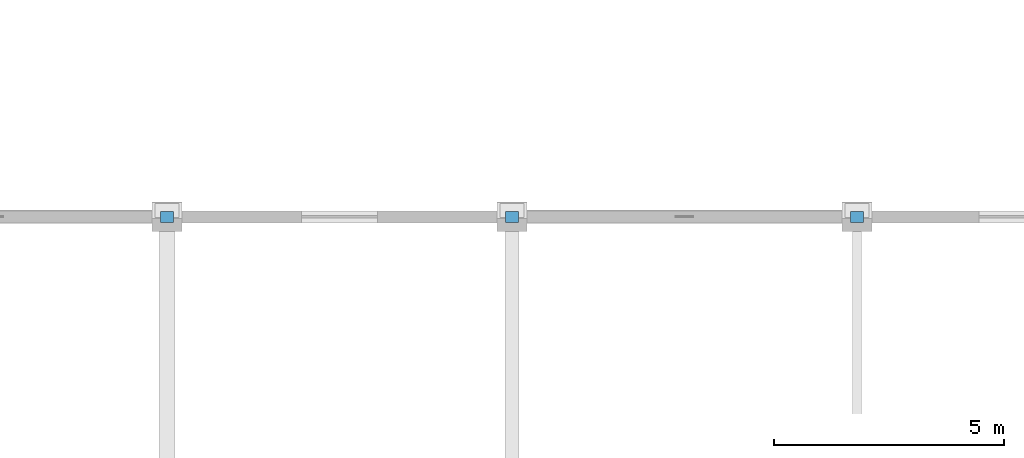
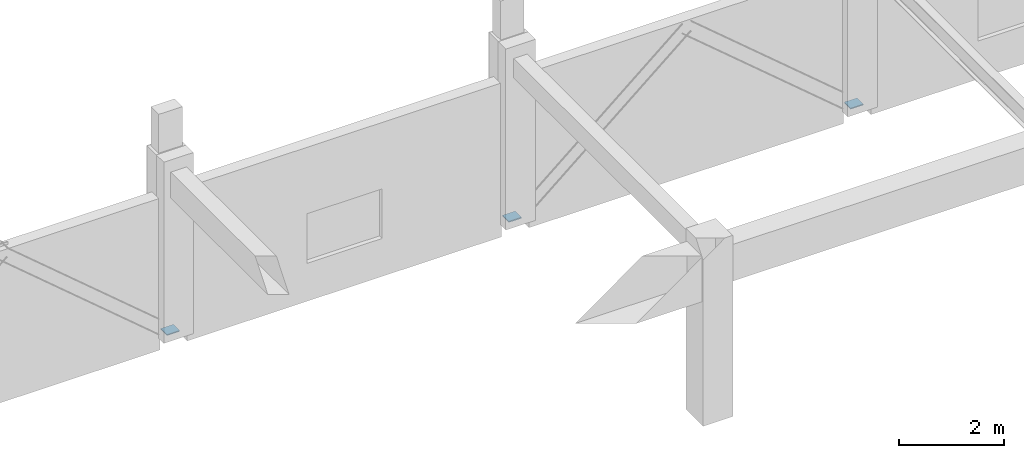
# One storey, part 43 of 51: 3 discrete accessories.
"""IFC4 building model written with IfcOpenShell, lengths in metres."""

from ifc_helpers import new_model, si_unit, direction, frame, origin, origin_2d, place, context, subcontext, project, spatial, rectangle, extrude, material, type_object, element, save


model = new_model("IFC4")

# Units and contexts
model_context = context("Model", 3, precision=1e-05, world=origin(), true_north=direction((0.0, 1.0)))
body_context = subcontext(model_context, "Body", "Model", "MODEL_VIEW")
ifc_project = project(units=[si_unit("LENGTHUNIT", "METRE"), si_unit("AREAUNIT", "SQUARE_METRE"), si_unit("VOLUMEUNIT", "CUBIC_METRE"), si_unit("PLANEANGLEUNIT", "RADIAN"), si_unit("MASSUNIT", "GRAM", prefix="KILO")], contexts=[model_context])

# Site, building, storey
site_placement = place(None, origin())
site = spatial("IfcSite", under=ifc_project, at=site_placement, CompositionType="ELEMENT")
building_placement = place(site_placement, origin())
building = spatial("IfcBuilding", under=site, at=building_placement, Name="Qasida Concert Hall", CompositionType="ELEMENT")
storey_placement = place(building_placement, frame((0.0, 0.0, 21.0)))
storey = spatial("IfcBuildingStorey", under=building, at=storey_placement, Name="L05", CompositionType="ELEMENT", Elevation=21.0)

# Discrete accessories
ifc_material = material(Name="Steel S355J2", Category="steel")
discrete_accessory_type = type_object("IfcDiscreteAccessoryType", Name="ACC-CONN-S355", PredefinedType="BRACKET", material=ifc_material)
for number, where, z_axis, x_axis, name in (
    (1, (75.0, 82.5, -0.011962890625), (0.0, 0.0, 1.0), (1.0, 0.0, 0.0), "Steel brace/strut end connection CN-0215"),
    (2, (82.5, 82.5, -0.011962890625), (0.0, 0.0, 1.0), (1.0, 0.0, 0.0), "Steel brace/strut end connection CN-0226"),
    (3, (90.0, 82.5, -0.011962890625), (0.0, 0.0, 1.0), (1.0, 0.0, 0.0), "Steel brace/strut end connection CN-0227"),
):
    element("IfcDiscreteAccessory", number, at=place(storey_placement, frame(where, z_axis=z_axis, x_axis=x_axis)), inside=storey, type_object=discrete_accessory_type, Name=name, PredefinedType="BRACKET", context=body_context, shape_type="SweptSolid", body=[
        extrude(rectangle(XDim=0.280029296875, YDim=0.239990234375, at=origin_2d()), origin(), (0.0, 0.0, 1.0), 0.02392578125),
    ])

save(model, "model.ifc")
